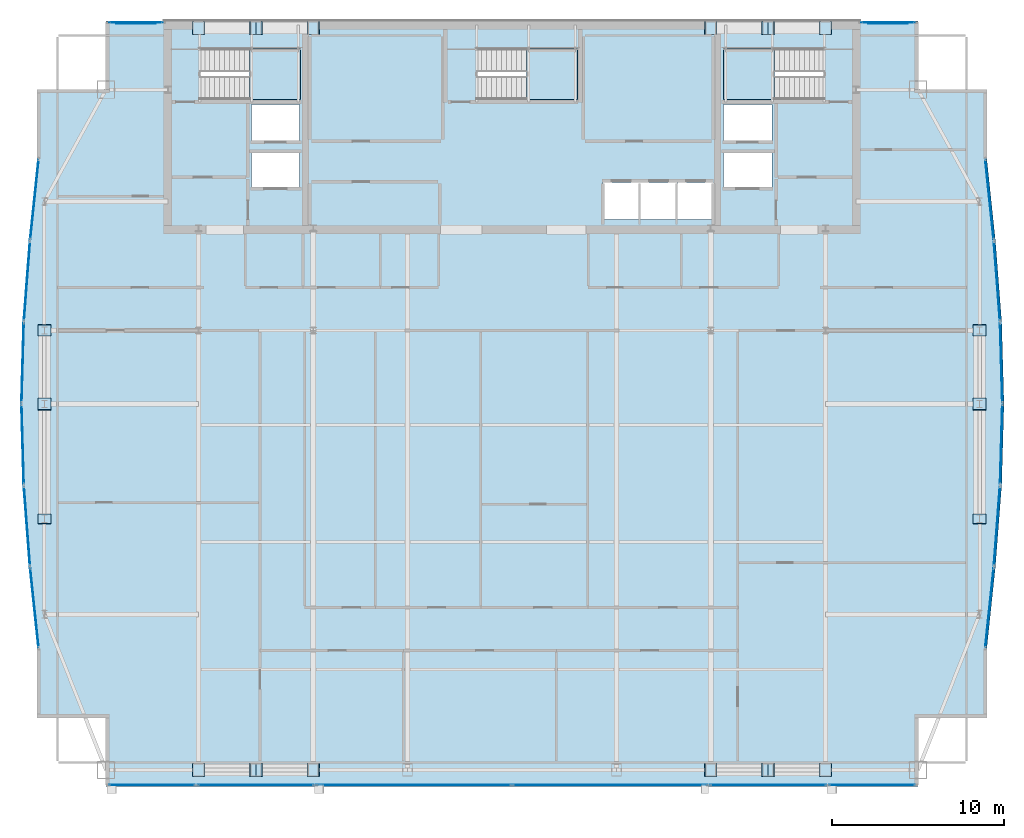
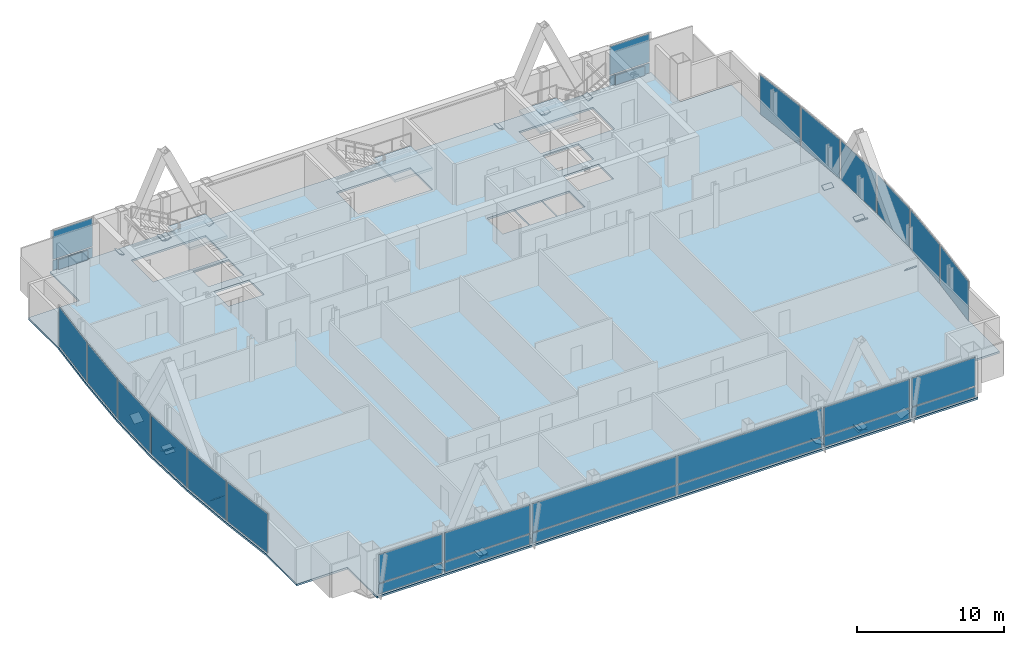
# One storey, part 24 of 30: 54 plates, 4 slabs, 22 elements without a shape of their own.
"""IFC4 building model written with IfcOpenShell, lengths in metres."""

from ifc_helpers import new_model, si_unit, direction, frame, origin, origin_2d, place, context, subcontext, project, spatial, polyline, rectangle, outline, extrude, material, layer, layer_set, type_object, element, aggregate, save


model = new_model("IFC4")

# Units and contexts
model_context = context("Model", 3, precision=1e-05, world=origin(), true_north=direction((0.0, 1.0)))
body_context = subcontext(model_context, "Body", "Model", "MODEL_VIEW")
ifc_project = project(units=[si_unit("LENGTHUNIT", "METRE"), si_unit("AREAUNIT", "SQUARE_METRE"), si_unit("VOLUMEUNIT", "CUBIC_METRE"), si_unit("PLANEANGLEUNIT", "RADIAN"), si_unit("MASSUNIT", "GRAM", prefix="KILO")], contexts=[model_context])

# Site, building, storey
site_placement = place(None, origin())
site = spatial("IfcSite", under=ifc_project, at=site_placement, CompositionType="ELEMENT")
building_placement = place(site_placement, origin())
building = spatial("IfcBuilding", under=site, at=building_placement, Name="Khoronbel Lancet Exchange", CompositionType="ELEMENT")
storey_placement = place(building_placement, frame((0.0, 0.0, 284.199951171875)))
storey = spatial("IfcBuildingStorey", under=building, at=storey_placement, Name="L73", CompositionType="ELEMENT", Elevation=284.199951171875)

# Curtain wall, plate
ifc_material_1 = material(Name="Low-E Solar Control Insulating Glass", Category="glass")
curtain_wall_type_1 = type_object("IfcCurtainWallType", Name="CW-4", PredefinedType="NOTDEFINED", material=ifc_material_1)
curtain_wall_1_placement = place(storey_placement, origin())
curtain_wall_1 = element("IfcCurtainWall", 1, at=curtain_wall_1_placement, inside=storey, type_object=curtain_wall_type_1, Name="Unitised curtain wall CW-L73-E05", PredefinedType="NOTDEFINED")
ifc_material_2 = material(Name="Bronze-Anodised Aluminium 6063-T6", Category="aluminium")
ifc_layer_1 = layer(ifc_material_2, 0.050048828125, Name="Bronze-Anodised Aluminium 6063-T6")
ifc_layer_set_1 = layer_set([ifc_layer_1], Name="Bronze-Anodised Aluminium 6063-T6")
plate_type_1 = type_object("IfcPlateType", Name="PLT-CSP1", PredefinedType="SHEET", material=ifc_layer_set_1)
plate_1_placement = place(storey_placement, frame((8.2568359375, 24.33154296875, 0.0849609375), z_axis=(0.0, 0.0, 1.0), x_axis=(-0.076818579658, 0.997045087155, 0.0)))
plate_1 = element("IfcPlate", 2, at=plate_1_placement, type_object=plate_type_1, Name="CW4 panel 1.1", PredefinedType="CURTAIN_PANEL", context=body_context, shape_type="SweptSolid", body=[
    extrude(rectangle(XDim=4.610595703125, YDim=0.0380859375, at=origin_2d()), origin(), (0.0, 0.0, 1.0), 3.27001953125),
])
aggregate(curtain_wall_1, [plate_1])

curtain_wall_2_placement = place(storey_placement, origin())
curtain_wall_2 = element("IfcCurtainWall", 3, at=curtain_wall_2_placement, inside=storey, type_object=curtain_wall_type_1, Name="Unitised curtain wall CW-L73-E06", PredefinedType="NOTDEFINED")
plate_2_placement = place(storey_placement, frame((8.0068359375, 29.077392578125, 0.0849609375), z_axis=(0.0, 0.0, 1.0), x_axis=(-0.028206167106, 0.999602126917, 0.0)))
plate_2 = element("IfcPlate", 4, at=plate_2_placement, type_object=plate_type_1, Name="CW4 panel 1.1", PredefinedType="CURTAIN_PANEL", context=body_context, shape_type="SweptSolid", body=[
    extrude(rectangle(XDim=4.59716796875, YDim=0.0380859375, at=origin_2d()), origin(), (0.0, 0.0, 1.0), 3.27001953125),
])
aggregate(curtain_wall_2, [plate_2])

curtain_wall_3_placement = place(storey_placement, origin())
curtain_wall_3 = element("IfcCurtainWall", 5, at=curtain_wall_3_placement, inside=storey, type_object=curtain_wall_type_1, Name="Unitised curtain wall CW-L73-E07", PredefinedType="NOTDEFINED")
plate_3_placement = place(storey_placement, frame((8.0068359375, 33.82275390625, 0.0849609375), z_axis=(0.0, 0.0, 1.0), x_axis=(0.028206167106, 0.999602126917, 0.0)))
plate_3 = element("IfcPlate", 6, at=plate_3_placement, type_object=plate_type_1, Name="CW4 panel 1.1", PredefinedType="CURTAIN_PANEL", context=body_context, shape_type="SweptSolid", body=[
    extrude(rectangle(XDim=4.59716796875, YDim=0.0380859375, at=origin_2d()), origin(), (0.0, 0.0, 1.0), 3.27001953125),
])
aggregate(curtain_wall_3, [plate_3])

curtain_wall_4_placement = place(storey_placement, origin())
curtain_wall_4 = element("IfcCurtainWall", 7, at=curtain_wall_4_placement, inside=storey, type_object=curtain_wall_type_1, Name="Unitised curtain wall CW-L73-E08", PredefinedType="NOTDEFINED")
plate_4_placement = place(storey_placement, frame((8.2568359375, 38.568603515625, 0.0849609375), z_axis=(0.0, 0.0, 1.0), x_axis=(0.076818579658, 0.997045087155, 0.0)))
plate_4 = element("IfcPlate", 8, at=plate_4_placement, type_object=plate_type_1, Name="CW4 panel 1.1", PredefinedType="CURTAIN_PANEL", context=body_context, shape_type="SweptSolid", body=[
    extrude(rectangle(XDim=4.610595703125, YDim=0.0380859375, at=origin_2d()), origin(), (0.0, 0.0, 1.0), 3.27001953125),
])
aggregate(curtain_wall_4, [plate_4])

curtain_wall_type_2 = type_object("IfcCurtainWallType", Name="CW-3", PredefinedType="NOTDEFINED", material=ifc_material_1)
curtain_wall_5_placement = place(storey_placement, origin())
curtain_wall_5 = element("IfcCurtainWall", 9, at=curtain_wall_5_placement, inside=storey, type_object=curtain_wall_type_2, Name="Unitised curtain wall CW-L73-NWFLK", PredefinedType="NOTDEFINED")
plate_5_placement = place(storey_placement, frame((14.580078125, 53.550048828125, 0.0498046875), z_axis=(0.0, 0.0, 1.0), x_axis=(-1.0, 0.0, 0.0)))
plate_5 = element("IfcPlate", 10, at=plate_5_placement, type_object=plate_type_1, Name="Insulated bronze spandrel cassette CW-L73-NWFLK", PredefinedType="SHEET", context=body_context, shape_type="SweptSolid", body=[
    extrude(rectangle(XDim=2.2958984375, YDim=0.050048828125, at=origin_2d()), origin(), (0.0, 0.0, 1.0), 0.800048828125),
])

curtain_wall_6_placement = place(storey_placement, origin())
curtain_wall_6 = element("IfcCurtainWall", 11, at=curtain_wall_6_placement, inside=storey, type_object=curtain_wall_type_2, Name="Unitised curtain wall CW-L73-NEFLK", PredefinedType="NOTDEFINED")
plate_6_placement = place(storey_placement, frame((58.320068359375, 53.550048828125, 0.0498046875), z_axis=(0.0, 0.0, 1.0), x_axis=(-1.0, 0.0, 0.0)))
plate_6 = element("IfcPlate", 12, at=plate_6_placement, type_object=plate_type_1, Name="Insulated bronze spandrel cassette CW-L73-NEFLK", PredefinedType="SHEET", context=body_context, shape_type="SweptSolid", body=[
    extrude(rectangle(XDim=2.2958984375, YDim=0.050048828125, at=origin_2d()), origin(), (0.0, 0.0, 1.0), 0.800048828125),
])

curtain_wall_7_placement = place(storey_placement, origin())
curtain_wall_7 = element("IfcCurtainWall", 13, at=curtain_wall_7_placement, inside=storey, type_object=curtain_wall_type_1, Name="Unitised curtain wall CW-L73-E18", PredefinedType="NOTDEFINED")
plate_7_placement = place(storey_placement, frame((64.643310546875, 38.568603515625, 0.0849609375), z_axis=(0.0, 0.0, 1.0), x_axis=(0.076818579658, -0.997045087155, 0.0)))
plate_7 = element("IfcPlate", 14, at=plate_7_placement, type_object=plate_type_1, Name="CW4 panel 1.1", PredefinedType="CURTAIN_PANEL", context=body_context, shape_type="SweptSolid", body=[
    extrude(rectangle(XDim=4.610595703125, YDim=0.0380859375, at=origin_2d()), origin(), (0.0, 0.0, 1.0), 3.27001953125),
])
aggregate(curtain_wall_7, [plate_7])

curtain_wall_8_placement = place(storey_placement, origin())
curtain_wall_8 = element("IfcCurtainWall", 15, at=curtain_wall_8_placement, inside=storey, type_object=curtain_wall_type_1, Name="Unitised curtain wall CW-L73-E19", PredefinedType="NOTDEFINED")
plate_8_placement = place(storey_placement, frame((64.89306640625, 33.82275390625, 0.0849609375), z_axis=(0.0, 0.0, 1.0), x_axis=(0.028206167106, -0.999602126917, 0.0)))
plate_8 = element("IfcPlate", 16, at=plate_8_placement, type_object=plate_type_1, Name="CW4 panel 1.1", PredefinedType="CURTAIN_PANEL", context=body_context, shape_type="SweptSolid", body=[
    extrude(rectangle(XDim=4.59716796875, YDim=0.0380859375, at=origin_2d()), origin(), (0.0, 0.0, 1.0), 3.27001953125),
])
aggregate(curtain_wall_8, [plate_8])

curtain_wall_9_placement = place(storey_placement, origin())
curtain_wall_9 = element("IfcCurtainWall", 17, at=curtain_wall_9_placement, inside=storey, type_object=curtain_wall_type_1, Name="Unitised curtain wall CW-L73-E20", PredefinedType="NOTDEFINED")
plate_9_placement = place(storey_placement, frame((64.89306640625, 29.077392578125, 0.0849609375), z_axis=(0.0, 0.0, 1.0), x_axis=(-0.028206167106, -0.999602126917, 0.0)))
plate_9 = element("IfcPlate", 18, at=plate_9_placement, type_object=plate_type_1, Name="CW4 panel 1.1", PredefinedType="CURTAIN_PANEL", context=body_context, shape_type="SweptSolid", body=[
    extrude(rectangle(XDim=4.59716796875, YDim=0.0380859375, at=origin_2d()), origin(), (0.0, 0.0, 1.0), 3.27001953125),
])
aggregate(curtain_wall_9, [plate_9])

curtain_wall_10_placement = place(storey_placement, origin())
curtain_wall_10 = element("IfcCurtainWall", 19, at=curtain_wall_10_placement, inside=storey, type_object=curtain_wall_type_1, Name="Unitised curtain wall CW-L73-E21", PredefinedType="NOTDEFINED")
plate_10_placement = place(storey_placement, frame((64.643310546875, 24.33154296875, 0.0849609375), z_axis=(0.0, 0.0, 1.0), x_axis=(-0.076818579658, -0.997045087155, 0.0)))
plate_10 = element("IfcPlate", 20, at=plate_10_placement, type_object=plate_type_1, Name="CW4 panel 1.1", PredefinedType="CURTAIN_PANEL", context=body_context, shape_type="SweptSolid", body=[
    extrude(rectangle(XDim=4.610595703125, YDim=0.0380859375, at=origin_2d()), origin(), (0.0, 0.0, 1.0), 3.27001953125),
])
aggregate(curtain_wall_10, [plate_10])

# Curtain wall, plates
curtain_wall_11_placement = place(storey_placement, origin())
curtain_wall_11 = element("IfcCurtainWall", 21, at=curtain_wall_11_placement, inside=storey, type_object=curtain_wall_type_2, Name="Unitised curtain wall CW-L73-SWB", PredefinedType="NOTDEFINED")
plate_11_placement = place(storey_placement, frame((21.550048828125, 9.2900390625, 0.0849609375), z_axis=(0.0, 0.0, 1.0), x_axis=(1.0, 0.0, 0.0)))
plate_11 = element("IfcPlate", 22, at=plate_11_placement, type_object=plate_type_1, Name="CW3 panel 1.1", PredefinedType="CURTAIN_PANEL", context=body_context, shape_type="SweptSolid", body=[
    extrude(rectangle(XDim=6.72998046875, YDim=0.0380859375, at=origin_2d()), origin(), (0.0, 0.0, 1.0), 0.822509765625),
])
plate_12_placement = place(storey_placement, frame((21.550048828125, 9.2900390625, 0.99267578125), z_axis=(0.0, 0.0, 1.0), x_axis=(1.0, 0.0, 0.0)))
plate_12 = element("IfcPlate", 23, at=plate_12_placement, type_object=plate_type_1, Name="CW3 panel 1.2", PredefinedType="CURTAIN_PANEL", context=body_context, shape_type="SweptSolid", body=[
    extrude(rectangle(XDim=6.72998046875, YDim=0.0380859375, at=origin_2d()), origin(), (0.0, 0.0, 1.0), 2.362548828125),
])
aggregate(curtain_wall_11, [plate_11, plate_12])

curtain_wall_12_placement = place(storey_placement, origin())
curtain_wall_12 = element("IfcCurtainWall", 24, at=curtain_wall_12_placement, inside=storey, type_object=curtain_wall_type_2, Name="Unitised curtain wall CW-L73-SEB", PredefinedType="NOTDEFINED")
plate_13_placement = place(storey_placement, frame((51.35009765625, 9.2900390625, 0.0849609375), z_axis=(0.0, 0.0, 1.0), x_axis=(1.0, 0.0, 0.0)))
plate_13 = element("IfcPlate", 25, at=plate_13_placement, type_object=plate_type_1, Name="CW3 panel 1.1", PredefinedType="CURTAIN_PANEL", context=body_context, shape_type="SweptSolid", body=[
    extrude(rectangle(XDim=6.72998046875, YDim=0.0380859375, at=origin_2d()), origin(), (0.0, 0.0, 1.0), 0.822509765625),
])
plate_14_placement = place(storey_placement, frame((51.35009765625, 9.2900390625, 0.99267578125), z_axis=(0.0, 0.0, 1.0), x_axis=(1.0, 0.0, 0.0)))
plate_14 = element("IfcPlate", 26, at=plate_14_placement, type_object=plate_type_1, Name="CW3 panel 1.2", PredefinedType="CURTAIN_PANEL", context=body_context, shape_type="SweptSolid", body=[
    extrude(rectangle(XDim=6.72998046875, YDim=0.0380859375, at=origin_2d()), origin(), (0.0, 0.0, 1.0), 2.362548828125),
])
aggregate(curtain_wall_12, [plate_13, plate_14])

# Plate
ifc_layer_2 = layer(ifc_material_1, 0.035888671875, Name="Low-E Solar Control Insulating Glass")
ifc_layer_set_2 = layer_set([ifc_layer_2], Name="Low-E Solar Control Insulating Glass")
plate_type_2 = type_object("IfcPlateType", Name="PLT-CWP1", PredefinedType="CURTAIN_PANEL", material=ifc_layer_set_2)
plate_15_placement = place(storey_placement, frame((14.580078125, 53.610107421875, 0.0849609375), z_axis=(0.0, 0.0, 1.0), x_axis=(-1.0, 0.0, 0.0)))
plate_15 = element("IfcPlate", 27, at=plate_15_placement, type_object=plate_type_2, Name="CW3 panel 1.1", PredefinedType="CURTAIN_PANEL", context=body_context, shape_type="SweptSolid", body=[
    extrude(rectangle(XDim=3.110107421875, YDim=0.0380859375, at=origin_2d()), origin(), (0.0, 0.0, 1.0), 0.822509765625),
])

plate_16_placement = place(storey_placement, frame((14.580078125, 53.610107421875, 0.99267578125), z_axis=(0.0, 0.0, 1.0), x_axis=(-1.0, 0.0, 0.0)))
plate_16 = element("IfcPlate", 28, at=plate_16_placement, type_object=plate_type_2, Name="CW3 panel 1.2", PredefinedType="CURTAIN_PANEL", context=body_context, shape_type="SweptSolid", body=[
    extrude(rectangle(XDim=3.110107421875, YDim=0.0380859375, at=origin_2d()), origin(), (0.0, 0.0, 1.0), 2.362548828125),
])

aggregate(curtain_wall_5, [plate_15, plate_16, plate_5])

plate_17_placement = place(storey_placement, frame((58.320068359375, 53.610107421875, 0.0849609375), z_axis=(0.0, 0.0, 1.0), x_axis=(-1.0, 0.0, 0.0)))
plate_17 = element("IfcPlate", 29, at=plate_17_placement, type_object=plate_type_2, Name="CW3 panel 1.1", PredefinedType="CURTAIN_PANEL", context=body_context, shape_type="SweptSolid", body=[
    extrude(rectangle(XDim=3.110107421875, YDim=0.0380859375, at=origin_2d()), origin(), (0.0, 0.0, 1.0), 0.822509765625),
])

plate_18_placement = place(storey_placement, frame((58.320068359375, 53.610107421875, 0.99267578125), z_axis=(0.0, 0.0, 1.0), x_axis=(-1.0, 0.0, 0.0)))
plate_18 = element("IfcPlate", 30, at=plate_18_placement, type_object=plate_type_2, Name="CW3 panel 1.2", PredefinedType="CURTAIN_PANEL", context=body_context, shape_type="SweptSolid", body=[
    extrude(rectangle(XDim=3.110107421875, YDim=0.0380859375, at=origin_2d()), origin(), (0.0, 0.0, 1.0), 2.362548828125),
])

aggregate(curtain_wall_6, [plate_17, plate_18, plate_6])

# Curtain wall, plates
curtain_wall_13_placement = place(storey_placement, origin())
curtain_wall_13 = element("IfcCurtainWall", 31, at=curtain_wall_13_placement, inside=storey, type_object=curtain_wall_type_2, Name="Unitised curtain wall CW-L73-SWV", PredefinedType="NOTDEFINED")
plate_19_placement = place(storey_placement, frame((15.52001953125, 9.2900390625, 0.0849609375), z_axis=(0.0, 0.0, 1.0), x_axis=(1.0, 0.0, 0.0)))
plate_19 = element("IfcPlate", 32, at=plate_19_placement, type_object=plate_type_2, Name="CW3 panel 1.1", PredefinedType="CURTAIN_PANEL", context=body_context, shape_type="SweptSolid", body=[
    extrude(rectangle(XDim=4.989990234375, YDim=0.0380859375, at=origin_2d()), origin(), (0.0, 0.0, 1.0), 0.822509765625),
])
plate_20_placement = place(storey_placement, frame((15.52001953125, 9.2900390625, 0.99267578125), z_axis=(0.0, 0.0, 1.0), x_axis=(1.0, 0.0, 0.0)))
plate_20 = element("IfcPlate", 33, at=plate_20_placement, type_object=plate_type_2, Name="CW3 panel 1.2", PredefinedType="CURTAIN_PANEL", context=body_context, shape_type="SweptSolid", body=[
    extrude(rectangle(XDim=4.989990234375, YDim=0.0380859375, at=origin_2d()), origin(), (0.0, 0.0, 1.0), 2.362548828125),
])
aggregate(curtain_wall_13, [plate_19, plate_20])

curtain_wall_14_placement = place(storey_placement, origin())
curtain_wall_14 = element("IfcCurtainWall", 34, at=curtain_wall_14_placement, inside=storey, type_object=curtain_wall_type_2, Name="Unitised curtain wall CW-L73-SCV", PredefinedType="NOTDEFINED")
plate_21_placement = place(storey_placement, frame((30.746337890625, 9.2900390625, 0.0849609375), z_axis=(0.0, 0.0, 1.0), x_axis=(1.0, 0.0, 0.0)))
plate_21 = element("IfcPlate", 35, at=plate_21_placement, type_object=plate_type_2, Name="CW3 panel 1.1", PredefinedType="CURTAIN_PANEL", context=body_context, shape_type="SweptSolid", body=[
    extrude(rectangle(XDim=11.322509765625, YDim=0.0380859375, at=origin_2d()), origin(), (0.0, 0.0, 1.0), 0.822509765625),
])
plate_22_placement = place(storey_placement, frame((30.746337890625, 9.2900390625, 0.99267578125), z_axis=(0.0, 0.0, 1.0), x_axis=(1.0, 0.0, 0.0)))
plate_22 = element("IfcPlate", 36, at=plate_22_placement, type_object=plate_type_2, Name="CW3 panel 1.2", PredefinedType="CURTAIN_PANEL", context=body_context, shape_type="SweptSolid", body=[
    extrude(rectangle(XDim=11.322509765625, YDim=0.0380859375, at=origin_2d()), origin(), (0.0, 0.0, 1.0), 2.362548828125),
])
plate_23_placement = place(storey_placement, frame((42.15380859375, 9.2900390625, 0.0849609375), z_axis=(0.0, 0.0, 1.0), x_axis=(1.0, 0.0, 0.0)))
plate_23 = element("IfcPlate", 37, at=plate_23_placement, type_object=plate_type_2, Name="CW3 panel 2.1", PredefinedType="CURTAIN_PANEL", context=body_context, shape_type="SweptSolid", body=[
    extrude(rectangle(XDim=11.322509765625, YDim=0.0380859375, at=origin_2d()), origin(), (0.0, 0.0, 1.0), 0.822509765625),
])
plate_24_placement = place(storey_placement, frame((42.15380859375, 9.2900390625, 0.99267578125), z_axis=(0.0, 0.0, 1.0), x_axis=(1.0, 0.0, 0.0)))
plate_24 = element("IfcPlate", 38, at=plate_24_placement, type_object=plate_type_2, Name="CW3 panel 2.2", PredefinedType="CURTAIN_PANEL", context=body_context, shape_type="SweptSolid", body=[
    extrude(rectangle(XDim=11.322509765625, YDim=0.0380859375, at=origin_2d()), origin(), (0.0, 0.0, 1.0), 2.362548828125),
])
aggregate(curtain_wall_14, [plate_21, plate_22, plate_23, plate_24])

curtain_wall_15_placement = place(storey_placement, origin())
curtain_wall_15 = element("IfcCurtainWall", 39, at=curtain_wall_15_placement, inside=storey, type_object=curtain_wall_type_2, Name="Unitised curtain wall CW-L73-SEV", PredefinedType="NOTDEFINED")
plate_25_placement = place(storey_placement, frame((57.3798828125, 9.2900390625, 0.0849609375), z_axis=(0.0, 0.0, 1.0), x_axis=(1.0, 0.0, 0.0)))
plate_25 = element("IfcPlate", 40, at=plate_25_placement, type_object=plate_type_2, Name="CW3 panel 1.1", PredefinedType="CURTAIN_PANEL", context=body_context, shape_type="SweptSolid", body=[
    extrude(rectangle(XDim=4.989990234375, YDim=0.0380859375, at=origin_2d()), origin(), (0.0, 0.0, 1.0), 0.822509765625),
])
plate_26_placement = place(storey_placement, frame((57.3798828125, 9.2900390625, 0.99267578125), z_axis=(0.0, 0.0, 1.0), x_axis=(1.0, 0.0, 0.0)))
plate_26 = element("IfcPlate", 41, at=plate_26_placement, type_object=plate_type_2, Name="CW3 panel 1.2", PredefinedType="CURTAIN_PANEL", context=body_context, shape_type="SweptSolid", body=[
    extrude(rectangle(XDim=4.989990234375, YDim=0.0380859375, at=origin_2d()), origin(), (0.0, 0.0, 1.0), 2.362548828125),
])
aggregate(curtain_wall_15, [plate_25, plate_26])

# Curtain wall, plate
curtain_wall_16_placement = place(storey_placement, origin())
curtain_wall_16 = element("IfcCurtainWall", 42, at=curtain_wall_16_placement, inside=storey, type_object=curtain_wall_type_1, Name="Unitised curtain wall CW-L73-E04", PredefinedType="NOTDEFINED")
ifc_material_3 = material(Name="Ceramic-Fritted Laminated Insulating Glass", Category="glass")
ifc_layer_3 = layer(ifc_material_3, 0.0419921875, Name="Ceramic-Fritted Laminated Insulating Glass")
ifc_layer_set_3 = layer_set([ifc_layer_3], Name="Ceramic-Fritted Laminated Insulating Glass")
plate_type_3 = type_object("IfcPlateType", Name="PLT-CWP2", PredefinedType="CURTAIN_PANEL", material=ifc_layer_set_3)
plate_27_placement = place(storey_placement, frame((8.689697265625, 19.58154296875, 0.0849609375), z_axis=(0.0, 0.0, 1.0), x_axis=(-0.104691318907, 0.994504765069, 0.0)))
plate_27 = element("IfcPlate", 43, at=plate_27_placement, type_object=plate_type_3, Name="CW4 panel 1.1", PredefinedType="CURTAIN_PANEL", context=body_context, shape_type="SweptSolid", body=[
    extrude(rectangle(XDim=4.6298828125, YDim=0.0380859375, at=origin_2d()), origin(), (0.0, 0.0, 1.0), 3.27001953125),
])
aggregate(curtain_wall_16, [plate_27])

curtain_wall_17_placement = place(storey_placement, origin())
curtain_wall_17 = element("IfcCurtainWall", 44, at=curtain_wall_17_placement, inside=storey, type_object=curtain_wall_type_1, Name="Unitised curtain wall CW-L73-E09", PredefinedType="NOTDEFINED")
plate_28_placement = place(storey_placement, frame((8.689697265625, 43.318603515625, 0.0849609375), z_axis=(0.0, 0.0, 1.0), x_axis=(0.104691318907, 0.994504765069, 0.0)))
plate_28 = element("IfcPlate", 45, at=plate_28_placement, type_object=plate_type_3, Name="CW4 panel 1.1", PredefinedType="CURTAIN_PANEL", context=body_context, shape_type="SweptSolid", body=[
    extrude(rectangle(XDim=4.6298828125, YDim=0.0380859375, at=origin_2d()), origin(), (0.0, 0.0, 1.0), 3.27001953125),
])
aggregate(curtain_wall_17, [plate_28])

curtain_wall_18_placement = place(storey_placement, origin())
curtain_wall_18 = element("IfcCurtainWall", 46, at=curtain_wall_18_placement, inside=storey, type_object=curtain_wall_type_1, Name="Unitised curtain wall CW-L73-E17", PredefinedType="NOTDEFINED")
plate_29_placement = place(storey_placement, frame((64.210205078125, 43.318603515625, 0.0849609375), z_axis=(0.0, 0.0, 1.0), x_axis=(0.104691318907, -0.994504765069, 0.0)))
plate_29 = element("IfcPlate", 47, at=plate_29_placement, type_object=plate_type_3, Name="CW4 panel 1.1", PredefinedType="CURTAIN_PANEL", context=body_context, shape_type="SweptSolid", body=[
    extrude(rectangle(XDim=4.6298828125, YDim=0.0380859375, at=origin_2d()), origin(), (0.0, 0.0, 1.0), 3.27001953125),
])
aggregate(curtain_wall_18, [plate_29])

curtain_wall_19_placement = place(storey_placement, origin())
curtain_wall_19 = element("IfcCurtainWall", 48, at=curtain_wall_19_placement, inside=storey, type_object=curtain_wall_type_1, Name="Unitised curtain wall CW-L73-E22", PredefinedType="NOTDEFINED")
plate_30_placement = place(storey_placement, frame((64.210205078125, 19.58154296875, 0.0849609375), z_axis=(0.0, 0.0, 1.0), x_axis=(-0.104691318907, -0.994504765069, 0.0)))
plate_30 = element("IfcPlate", 49, at=plate_30_placement, type_object=plate_type_3, Name="CW4 panel 1.1", PredefinedType="CURTAIN_PANEL", context=body_context, shape_type="SweptSolid", body=[
    extrude(rectangle(XDim=4.6298828125, YDim=0.0380859375, at=origin_2d()), origin(), (0.0, 0.0, 1.0), 3.27001953125),
])
aggregate(curtain_wall_19, [plate_30])

# Plates
ifc_material_4 = material(Name="Steel S460", Category="steel")
ifc_layer_4 = layer(ifc_material_4, 0.044921875, Name="Steel S460")
ifc_layer_set_4 = layer_set([ifc_layer_4], Name="Steel S460")
plate_type_4 = type_object("IfcPlateType", Name="PLT-ECP1", PredefinedType="USERDEFINED", material=ifc_layer_set_4)
for number, where, z_axis, x_axis, name in (
    (50, (21.935302734375, 9.77001953125, -0.08056640625), (0.295236958021, 0.0, 0.955424062193), (0.0, 1.0, 0.0), "Hollow end cap plate PLT-CAP-MEM-MB-T24-S-W-L-1"),
    (51, (21.189697265625, 10.530029296875, -0.08056640625), (-0.295236958021, 0.0, 0.955424062193), (0.0, -1.0, 0.0), "Hollow end cap plate PLT-CAP-MEM-MB-T24-S-W-R-1"),
    (52, (51.710205078125, 9.77001953125, -0.08056640625), (0.295236958021, 0.0, 0.955424062193), (0.0, 1.0, 0.0), "Hollow end cap plate PLT-CAP-MEM-MB-T24-S-E-L-1"),
):
    element("IfcPlate", number, at=place(storey_placement, frame(where, z_axis=z_axis, x_axis=x_axis)), inside=storey, type_object=plate_type_4, Name=name, ObjectType="STIFFENER_PLATE", PredefinedType="USERDEFINED", context=body_context, shape_type="SweptSolid", body=[
        extrude(outline(polyline([(0.0, 0.0), (0.760009765625, 0.0), (0.760009765625, 0.760009765625), (0.0, 0.760009765625), (0.0, 0.0)])), origin(), (0.0, 0.0, -1.0), 0.044921875),
    ])
plate_31_placement = place(storey_placement, frame((50.964599609375, 10.530029296875, -0.08056640625), z_axis=(-0.295146364908, 0.0, 0.955452051796), x_axis=(0.0, -1.0, 0.0)))
element("IfcPlate", 53, at=plate_31_placement, inside=storey, type_object=plate_type_4, Name="Hollow end cap plate PLT-CAP-MEM-MB-T24-S-E-R-1", ObjectType="STIFFENER_PLATE", PredefinedType="USERDEFINED", context=body_context, shape_type="SweptSolid", body=[
    extrude(outline(polyline([(0.0, 0.0), (0.760009765625, 0.0), (0.760009765625, 0.76025390625), (0.0, 0.76025390625), (0.0, 0.0)])), origin(), (0.0, 0.0, -1.0), 0.044921875),
])
for number, where, z_axis, x_axis, name in (
    (54, (21.935302734375, 52.89990234375, -0.08056640625), (0.295236958021, 0.0, 0.955424062193), (0.0, 1.0, 0.0), "Hollow end cap plate PLT-CAP-MEM-MB-T24-N-W-L-1"),
    (55, (21.189697265625, 53.659912109375, -0.08056640625), (-0.295236958021, 0.0, 0.955424062193), (0.0, -1.0, 0.0), "Hollow end cap plate PLT-CAP-MEM-MB-T24-N-W-R-1"),
    (56, (51.710205078125, 52.89990234375, -0.08056640625), (0.295236958021, 0.0, 0.955424062193), (0.0, 1.0, 0.0), "Hollow end cap plate PLT-CAP-MEM-MB-T24-N-E-L-1"),
):
    element("IfcPlate", number, at=place(storey_placement, frame(where, z_axis=z_axis, x_axis=x_axis)), inside=storey, type_object=plate_type_4, Name=name, ObjectType="STIFFENER_PLATE", PredefinedType="USERDEFINED", context=body_context, shape_type="SweptSolid", body=[
        extrude(outline(polyline([(0.0, 0.0), (0.760009765625, 0.0), (0.760009765625, 0.760009765625), (0.0, 0.760009765625), (0.0, 0.0)])), origin(), (0.0, 0.0, -1.0), 0.044921875),
    ])
plate_32_placement = place(storey_placement, frame((50.964599609375, 53.659912109375, -0.08056640625), z_axis=(-0.295146364908, 0.0, 0.955452051796), x_axis=(0.0, -1.0, 0.0)))
element("IfcPlate", 57, at=plate_32_placement, inside=storey, type_object=plate_type_4, Name="Hollow end cap plate PLT-CAP-MEM-MB-T24-N-E-R-1", ObjectType="STIFFENER_PLATE", PredefinedType="USERDEFINED", context=body_context, shape_type="SweptSolid", body=[
    extrude(outline(polyline([(0.0, 0.0), (0.760009765625, 0.0), (0.760009765625, 0.76025390625), (0.0, 0.76025390625), (0.0, 0.0)])), origin(), (0.0, 0.0, -1.0), 0.044921875),
])
for number, where, z_axis, x_axis, name in (
    (58, (9.64990234375, 31.765625, -0.171630859375), (0.0, 0.525602314326, 0.850730396292), (-1.0, 0.0, 0.0), "Hollow end cap plate PLT-CAP-MEM-MB-T24-W-P-L-1"),
    (59, (8.889892578125, 31.0595703125, -0.109130859375), (0.0, -0.368175750156, 0.929756213745), (1.0, 0.0, 0.0), "Hollow end cap plate PLT-CAP-MEM-MB-T24-W-P-R-1"),
    (60, (64.010009765625, 31.765625, -0.171630859375), (0.0, 0.525602314326, 0.850730396292), (-1.0, 0.0, 0.0), "Hollow end cap plate PLT-CAP-MEM-MB-T24-E-P-L-1"),
    (61, (63.25, 31.0595703125, -0.109130859375), (0.0, -0.368175750156, 0.929756213745), (1.0, 0.0, 0.0), "Hollow end cap plate PLT-CAP-MEM-MB-T24-E-P-R-1"),
    (62, (18.57470703125, 9.77001953125, -0.14892578125), (0.420544868923, 0.0, 0.907271741664), (0.0, 1.0, 0.0), "Hollow end cap plate PLT-CAP-MEM-MB-T25-S-W-L-0"),
    (63, (24.55029296875, 10.530029296875, -0.14892578125), (-0.420544868923, 0.0, 0.907271741664), (0.0, -1.0, 0.0), "Hollow end cap plate PLT-CAP-MEM-MB-T25-S-W-R-0"),
    (64, (48.349853515625, 9.77001953125, -0.14892578125), (0.420544868923, 0.0, 0.907271741664), (0.0, 1.0, 0.0), "Hollow end cap plate PLT-CAP-MEM-MB-T25-S-E-L-0"),
    (65, (54.3251953125, 10.530029296875, -0.14892578125), (-0.420544868923, 0.0, 0.907271741664), (0.0, -1.0, 0.0), "Hollow end cap plate PLT-CAP-MEM-MB-T25-S-E-R-0"),
    (66, (18.57470703125, 52.89990234375, -0.14892578125), (0.420544868923, 0.0, 0.907271741664), (0.0, 1.0, 0.0), "Hollow end cap plate PLT-CAP-MEM-MB-T25-N-W-L-0"),
    (67, (24.55029296875, 53.659912109375, -0.14892578125), (-0.420544868923, 0.0, 0.907271741664), (0.0, -1.0, 0.0), "Hollow end cap plate PLT-CAP-MEM-MB-T25-N-W-R-0"),
    (68, (48.349853515625, 52.89990234375, -0.14892578125), (0.420544868923, 0.0, 0.907271741664), (0.0, 1.0, 0.0), "Hollow end cap plate PLT-CAP-MEM-MB-T25-N-E-L-0"),
    (69, (54.3251953125, 53.659912109375, -0.14892578125), (-0.420544868923, 0.0, 0.907271741664), (0.0, -1.0, 0.0), "Hollow end cap plate PLT-CAP-MEM-MB-T25-N-E-R-0"),
    (70, (9.64990234375, 25.036865234375, -0.24951171875), (0.0, 0.679773094815, 0.733422483678), (-1.0, 0.0, 0.0), "Hollow end cap plate PLT-CAP-MEM-MB-T25-W-P-L-0"),
):
    element("IfcPlate", number, at=place(storey_placement, frame(where, z_axis=z_axis, x_axis=x_axis)), inside=storey, type_object=plate_type_4, Name=name, ObjectType="STIFFENER_PLATE", PredefinedType="USERDEFINED", context=body_context, shape_type="SweptSolid", body=[
        extrude(outline(polyline([(0.0, 0.0), (0.760009765625, 0.0), (0.760009765625, 0.760009765625), (0.0, 0.760009765625), (0.0, 0.0)])), origin(), (0.0, 0.0, -1.0), 0.044921875),
    ])
plate_33_placement = place(storey_placement, frame((8.889892578125, 35.3671875, -0.18359375), z_axis=(0.0, -0.510568449326, 0.85983711164), x_axis=(1.0, 0.0, 0.0)))
element("IfcPlate", 71, at=plate_33_placement, inside=storey, type_object=plate_type_4, Name="Hollow end cap plate PLT-CAP-MEM-MB-T25-W-P-R-0", ObjectType="STIFFENER_PLATE", PredefinedType="USERDEFINED", context=body_context, shape_type="SweptSolid", body=[
    extrude(outline(polyline([(0.0, 0.0), (0.760009765625, 0.0), (0.760009765625, 0.759765625), (0.0, 0.759765625), (0.0, 0.0)])), origin(), (0.0, 0.0, -1.0), 0.044921875),
])
plate_34_placement = place(storey_placement, frame((64.010009765625, 25.036865234375, -0.24951171875), z_axis=(0.0, 0.679773094815, 0.733422483678), x_axis=(-1.0, 0.0, 0.0)))
element("IfcPlate", 72, at=plate_34_placement, inside=storey, type_object=plate_type_4, Name="Hollow end cap plate PLT-CAP-MEM-MB-T25-E-P-L-0", ObjectType="STIFFENER_PLATE", PredefinedType="USERDEFINED", context=body_context, shape_type="SweptSolid", body=[
    extrude(outline(polyline([(0.0, 0.0), (0.760009765625, 0.0), (0.760009765625, 0.760009765625), (0.0, 0.760009765625), (0.0, 0.0)])), origin(), (0.0, 0.0, -1.0), 0.044921875),
])
plate_35_placement = place(storey_placement, frame((63.25, 35.3671875, -0.18359375), z_axis=(0.0, -0.510568449326, 0.85983711164), x_axis=(1.0, 0.0, 0.0)))
element("IfcPlate", 73, at=plate_35_placement, inside=storey, type_object=plate_type_4, Name="Hollow end cap plate PLT-CAP-MEM-MB-T25-E-P-R-0", ObjectType="STIFFENER_PLATE", PredefinedType="USERDEFINED", context=body_context, shape_type="SweptSolid", body=[
    extrude(outline(polyline([(0.0, 0.0), (0.760009765625, 0.0), (0.760009765625, 0.759765625), (0.0, 0.759765625), (0.0, 0.0)])), origin(), (0.0, 0.0, -1.0), 0.044921875),
])

# Slab
ifc_material_5 = material(Name="Concrete C40/50", Category="concrete")
ifc_layer_5 = layer(ifc_material_5, 0.159912109375, Name="Concrete C40/50")
ifc_layer_set_5 = layer_set([ifc_layer_5], Name="Concrete C40/50")
slab_type_1 = type_object("IfcSlabType", Name="SL-FL160", PredefinedType="FLOOR", material=ifc_layer_set_5)
slab_1_placement = place(storey_placement, frame((0.0, 0.0, -0.159912109375)))
element("IfcSlab", 74, at=slab_1_placement, inside=storey, type_object=slab_type_1, Name="Level L73 composite structural floor slab", PredefinedType="FLOOR", context=body_context, shape_type="SweptSolid", body=[
    extrude(outline(polyline([(12.85009765625, 9.199951171875), (60.050048828125, 9.199951171875), (60.050048828125, 13.199951171875), (64.050048828125, 13.199951171875), (64.050048828125, 17.199951171875), (64.550048828125, 21.949951171875), (64.916015625, 26.699951171875), (65.050048828125, 31.449951171875), (64.916015625, 36.199951171875), (64.550048828125, 40.949951171875), (64.050048828125, 45.699951171875), (64.050048828125, 49.699951171875), (60.050048828125, 49.699951171875), (60.050048828125, 53.699951171875), (12.85009765625, 53.699951171875), (12.85009765625, 49.699951171875), (8.85009765625, 49.699951171875), (8.85009765625, 45.699951171875), (8.35009765625, 40.949951171875), (7.98388671875, 36.199951171875), (7.85009765625, 31.449951171875), (7.98388671875, 26.699951171875), (8.35009765625, 21.949951171875), (8.85009765625, 17.199951171875), (8.85009765625, 13.199951171875), (12.85009765625, 13.199951171875), (12.85009765625, 9.199951171875)]), holes=[polyline([(18.324951171875, 49.1201171875), (24.14990234375, 49.1201171875), (24.14990234375, 52.10009765625), (18.324951171875, 52.10009765625), (18.324951171875, 49.1201171875)]), polyline([(48.75, 49.1201171875), (54.574951171875, 49.1201171875), (54.574951171875, 52.10009765625), (48.75, 52.10009765625), (48.75, 49.1201171875)]), polyline([(34.425048828125, 49.1201171875), (40.25, 49.1201171875), (40.25, 52.10009765625), (34.425048828125, 52.10009765625), (34.425048828125, 49.1201171875)]), polyline([(41.739990234375, 42.14990234375), (43.8798828125, 42.14990234375), (43.8798828125, 44.300048828125), (41.739990234375, 44.300048828125), (41.739990234375, 42.14990234375)]), polyline([(43.89990234375, 42.14990234375), (46.0400390625, 42.14990234375), (46.0400390625, 44.300048828125), (43.89990234375, 44.300048828125), (43.89990234375, 42.14990234375)]), polyline([(46.06005859375, 42.14990234375), (48.199951171875, 42.14990234375), (48.199951171875, 44.300048828125), (46.06005859375, 44.300048828125), (46.06005859375, 42.14990234375)]), polyline([(21.300048828125, 46.75), (24.10009765625, 46.75), (24.10009765625, 48.85009765625), (21.300048828125, 48.85009765625), (21.300048828125, 46.75)]), polyline([(48.75, 46.75), (51.550048828125, 46.75), (51.550048828125, 48.85009765625), (48.75, 48.85009765625), (48.75, 46.75)]), polyline([(21.300048828125, 44.050048828125), (24.10009765625, 44.050048828125), (24.10009765625, 46.050048828125), (21.300048828125, 46.050048828125), (21.300048828125, 44.050048828125)]), polyline([(48.75, 44.050048828125), (51.550048828125, 44.050048828125), (51.550048828125, 46.050048828125), (48.75, 46.050048828125), (48.75, 44.050048828125)])]), origin(), (0.0, 0.0, 1.0), 0.159912109375),
])

# Stair, slab
stair_type = type_object("IfcStairType", Name="STR-CORE150", PredefinedType="HALF_TURN_STAIR", material=ifc_material_5)
stair_1_placement = place(storey_placement, origin())
stair_1 = element("IfcStair", 75, at=stair_1_placement, inside=storey, type_object=stair_type, Name="L73 Protected Exit Stair ST1", PredefinedType="HALF_TURN_STAIR")
ifc_layer_6 = layer(ifc_material_5, 0.199951171875, Name="Concrete C40/50")
ifc_layer_set_6 = layer_set([ifc_layer_6], Name="Concrete C40/50")
slab_type_2 = type_object("IfcSlabType", Name="SL-LND180", PredefinedType="LANDING", material=ifc_layer_set_6)
slab_2_placement = place(storey_placement, frame((0.0, 0.0, 1.60009765625)))
slab_2 = element("IfcSlab", 76, at=slab_2_placement, type_object=slab_type_2, Name="ST1 landing 1", PredefinedType="LANDING", context=body_context, shape_type="SweptSolid", body=[
    extrude(outline(polyline([(21.199951171875, 49.1201171875), (24.14990234375, 49.1201171875), (24.14990234375, 52.10009765625), (21.199951171875, 52.10009765625), (21.199951171875, 49.1201171875)])), origin(), (0.0, 0.0, 1.0), 0.199951171875),
])
aggregate(stair_1, [slab_2])

stair_2_placement = place(storey_placement, origin())
stair_2 = element("IfcStair", 77, at=stair_2_placement, inside=storey, type_object=stair_type, Name="L73 Protected Exit Stair ST2", PredefinedType="HALF_TURN_STAIR")
slab_3_placement = place(storey_placement, frame((0.0, 0.0, 1.60009765625)))
slab_3 = element("IfcSlab", 78, at=slab_3_placement, type_object=slab_type_2, Name="ST2 landing 1", PredefinedType="LANDING", context=body_context, shape_type="SweptSolid", body=[
    extrude(outline(polyline([(51.699951171875, 52.10009765625), (48.75, 52.10009765625), (48.75, 49.1201171875), (51.699951171875, 49.1201171875), (51.699951171875, 52.10009765625)])), origin(), (0.0, 0.0, 1.0), 0.199951171875),
])
aggregate(stair_2, [slab_3])

stair_3_placement = place(storey_placement, origin())
stair_3 = element("IfcStair", 79, at=stair_3_placement, inside=storey, type_object=stair_type, Name="L73 Protected Exit Stair ST3", PredefinedType="HALF_TURN_STAIR")
slab_4_placement = place(storey_placement, frame((0.0, 0.0, 1.60009765625)))
slab_4 = element("IfcSlab", 80, at=slab_4_placement, type_object=slab_type_2, Name="ST3 landing 1", PredefinedType="LANDING", context=body_context, shape_type="SweptSolid", body=[
    extrude(outline(polyline([(37.300048828125, 49.1201171875), (40.25, 49.1201171875), (40.25, 52.10009765625), (37.300048828125, 52.10009765625), (37.300048828125, 49.1201171875)])), origin(), (0.0, 0.0, 1.0), 0.199951171875),
])
aggregate(stair_3, [slab_4])

save(model, "model.ifc")
